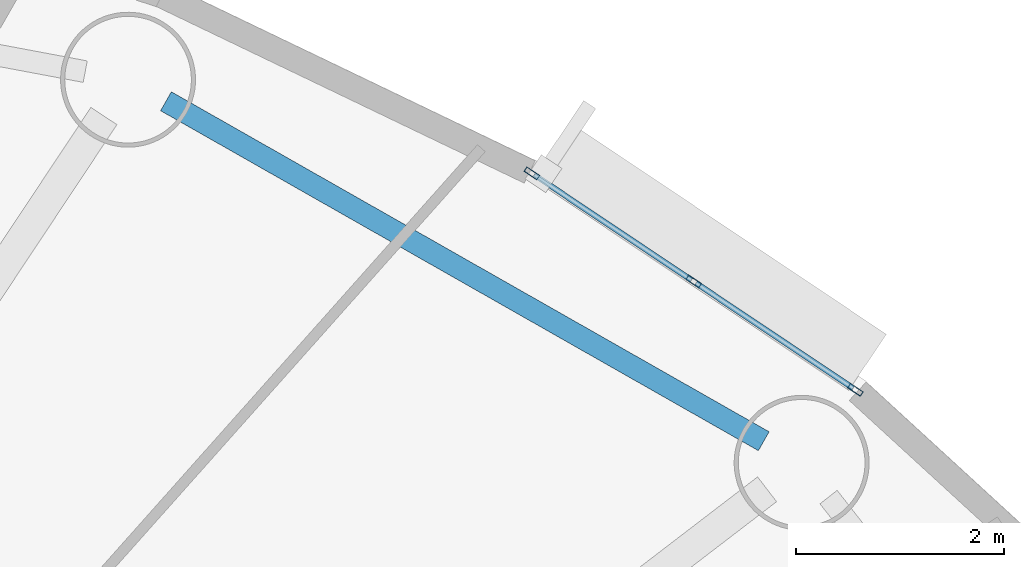
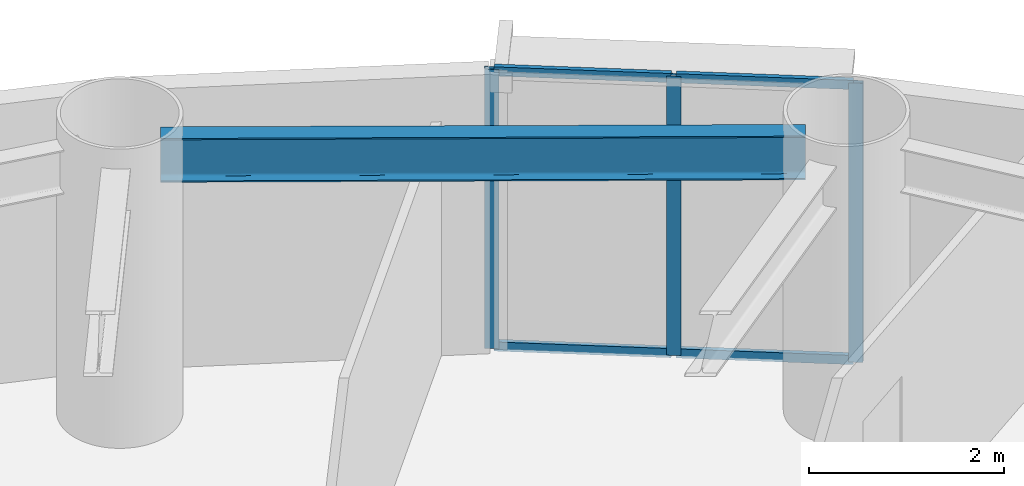
# One storey, part 4 of 19: 7 members, 1 beam, 1 element without a shape of its own.
"""IFC4 building model written with IfcOpenShell, lengths in metres."""

from ifc_helpers import new_model, si_unit, direction, frame, origin, origin_2d, place, context, subcontext, project, spatial, hollow_rectangle, i_section, extrude, source, transform, mapped, material, layer, layer_set, material_profile, profile_set, type_object, element, aggregate, save


model = new_model("IFC4")

# Units and contexts
model_context = context("Model", 3, precision=1e-05, world=origin(), true_north=direction((0.0, 1.0)))
body_context = subcontext(model_context, "Body", "Model", "MODEL_VIEW")
ifc_project = project(units=[si_unit("LENGTHUNIT", "METRE"), si_unit("AREAUNIT", "SQUARE_METRE"), si_unit("VOLUMEUNIT", "CUBIC_METRE"), si_unit("PLANEANGLEUNIT", "RADIAN"), si_unit("MASSUNIT", "GRAM", prefix="KILO")], contexts=[model_context])

# Site, building, storey
site_placement = place(None, origin())
site = spatial("IfcSite", under=ifc_project, at=site_placement, CompositionType="ELEMENT")
building_placement = place(site_placement, origin())
building = spatial("IfcBuilding", under=site, at=building_placement, Name="Linh Dai School and Residence Tower", CompositionType="ELEMENT")
storey_placement = place(building_placement, frame((0.0, 0.0, 193.64990234375)))
storey = spatial("IfcBuildingStorey", under=building, at=storey_placement, Name="L47", CompositionType="ELEMENT", Elevation=193.64990234375)

# Beam
ifc_material_1 = material(Name="Structural Steel S355JR", Category="steel")
ifc_material_profile_1 = material_profile(ifc_material_1, i_section(OverallWidth=0.2099609375, OverallDepth=0.550048828125, WebThickness=0.010986328125, FlangeThickness=0.01708984375, FilletRadius=0.02392578125, at=origin_2d()), Name="IPE 550")
ifc_profile_set_1 = profile_set([ifc_material_profile_1], Name="Structural Steel S355JR")
beam_type = type_object("IfcBeamType", Name="BM-RB55", PredefinedType="BEAM", material=ifc_profile_set_1)
beam_placement = place(storey_placement, frame((53.827392578125, 41.1494140625, 3.22509765625), z_axis=(-0.869262164011, 0.49435138335, 0.0), x_axis=(-0.49435138335, -0.869262164011, 0.0)))
element("IfcBeam", 1, at=beam_placement, inside=storey, type_object=beam_type, Name="L47 Perimeter Elliptical Ring Beam 03", PredefinedType="BEAM", context=body_context, shape_type="SweptSolid", body=[
    extrude(i_section(OverallWidth=0.2099609375, OverallDepth=0.550048828125, WebThickness=0.010986328125, FlangeThickness=0.01708984375, FilletRadius=0.02392578125, at=origin_2d()), origin(), (0.0, 0.0, 1.0), 6.62255859375),
])

# Curtain wall, members
ifc_material_2 = material(Name="Aluminium Anodised Curtain Wall", Category="aluminium")
ifc_layer = layer(ifc_material_2, 0.14990234375)
ifc_layer_set = layer_set([ifc_layer], Name="Aluminium Anodised Curtain Wall")
curtain_wall_type = type_object("IfcCurtainWallType", Name="CW-SYS-4", PredefinedType="USERDEFINED", material=ifc_layer_set)
curtain_wall_placement = place(storey_placement, origin())
curtain_wall = element("IfcCurtainWall", 2, at=curtain_wall_placement, inside=storey, type_object=curtain_wall_type, Name="L47 CW4 Curtain Wall 06", ObjectType="RIBBON CURTAIN WALL", PredefinedType="USERDEFINED")
ifc_material_3 = material(Name="Aluminium Alloy 6063-T6", Category="aluminium")
ifc_material_profile_2 = material_profile(ifc_material_3, hollow_rectangle(XDim=0.052001953125, YDim=0.14990234375, WallThickness=0.00390625, at=origin_2d()), Name="RHS 150x52x4")
ifc_profile_set_2 = profile_set([ifc_material_profile_2], Name="Aluminium Alloy 6063-T6")
member_type_1 = type_object("IfcMemberType", Name="CW-SYS-4-MUL", PredefinedType="MULLION", material=ifc_profile_set_2)
shared_shape_1 = source(origin(), body_context, "Body", "SweptSolid", [
    extrude(hollow_rectangle(XDim=0.052001953125, YDim=0.14990234375, WallThickness=0.00390625, at=origin_2d()), origin(), (0.0, 0.0, 1.0), 3.5),
])
member_1_placement = place(storey_placement, frame((51.594970703125, 43.728759765625, 0.0), z_axis=(0.0, 0.0, 1.0), x_axis=(0.555931154932, 0.831228338651, 0.0)))
member_1 = element("IfcMember", 3, at=member_1_placement, type_object=member_type_1, Name="CW4 mullion 1", PredefinedType="MULLION", context=body_context, shape_type="MappedRepresentation", body=[
    mapped(shared_shape_1, transform((0.0, 0.0, 0.0), x_axis=(1.0, 0.0, 0.0), y_axis=(0.0, 1.0, 0.0), z_axis=(0.0, 0.0, 1.0), scale=1.0)),
])
member_2_placement = place(storey_placement, frame((53.152587890625, 42.68701171875, 0.0), z_axis=(0.0, 0.0, 1.0), x_axis=(0.555931154932, 0.831228338651, 0.0)))
member_2 = element("IfcMember", 4, at=member_2_placement, type_object=member_type_1, Name="CW4 mullion 2", PredefinedType="MULLION", context=body_context, shape_type="MappedRepresentation", body=[
    mapped(shared_shape_1, transform((0.0, 0.0, 0.0), x_axis=(1.0, 0.0, 0.0), y_axis=(0.0, 1.0, 0.0), z_axis=(0.0, 0.0, 1.0), scale=1.0)),
])
member_3_placement = place(storey_placement, frame((54.71044921875, 41.64501953125, 0.0), z_axis=(0.0, 0.0, 1.0), x_axis=(0.555931154932, 0.831228338651, 0.0)))
member_3 = element("IfcMember", 5, at=member_3_placement, type_object=member_type_1, Name="CW4 mullion 3", PredefinedType="MULLION", context=body_context, shape_type="MappedRepresentation", body=[
    mapped(shared_shape_1, transform((0.0, 0.0, 0.0), x_axis=(1.0, 0.0, 0.0), y_axis=(0.0, 1.0, 0.0), z_axis=(0.0, 0.0, 1.0), scale=1.0)),
])
ifc_material_profile_3 = material_profile(ifc_material_3, hollow_rectangle(XDim=0.052001953125, YDim=0.114990234375, WallThickness=0.00390625, at=origin_2d()), Name="RHS 115x52x4")
ifc_profile_set_3 = profile_set([ifc_material_profile_3], Name="Aluminium Alloy 6063-T6")
member_type_2 = type_object("IfcMemberType", Name="CW-SYS-4-TRN", PredefinedType="USERDEFINED", material=ifc_profile_set_3)
shared_shape_2 = source(origin(), body_context, "Body", "SweptSolid", [
    extrude(hollow_rectangle(XDim=0.052001953125, YDim=0.114990234375, WallThickness=0.00390625, at=origin_2d()), origin(), (0.0, 0.0, 1.0), 1.822021484375),
])
member_4_placement = place(storey_placement, frame((51.616455078125, 43.71435546875, 0.026123046875), z_axis=(0.831245508037, -0.555905482406, 0.0), x_axis=(0.555905482406, 0.831245508037, 0.0)))
member_4 = element("IfcMember", 6, at=member_4_placement, type_object=member_type_2, Name="CW4 transom 1.1", ObjectType="TRANSOM", PredefinedType="USERDEFINED", context=body_context, shape_type="MappedRepresentation", body=[
    mapped(shared_shape_2, transform((0.0, 0.0, 0.0), x_axis=(1.0, 0.0, 0.0), y_axis=(0.0, 1.0, 0.0), z_axis=(0.0, 0.0, 1.0), scale=1.0)),
])
member_5_placement = place(storey_placement, frame((51.616455078125, 43.71435546875, 3.47412109375), z_axis=(0.831245508037, -0.555905482406, 0.0), x_axis=(0.555905482406, 0.831245508037, 0.0)))
member_5 = element("IfcMember", 7, at=member_5_placement, type_object=member_type_2, Name="CW4 transom 1.2", ObjectType="TRANSOM", PredefinedType="USERDEFINED", context=body_context, shape_type="MappedRepresentation", body=[
    mapped(shared_shape_2, transform((0.0, 0.0, 0.0), x_axis=(1.0, 0.0, 0.0), y_axis=(0.0, 1.0, 0.0), z_axis=(0.0, 0.0, 1.0), scale=1.0)),
])
member_6_placement = place(storey_placement, frame((53.17431640625, 42.67236328125, 0.026123046875), z_axis=(0.831204095485, -0.555967401607, 0.0), x_axis=(0.555967401607, 0.831204095485, 0.0)))
member_6 = element("IfcMember", 8, at=member_6_placement, type_object=member_type_2, Name="CW4 transom 2.1", ObjectType="TRANSOM", PredefinedType="USERDEFINED", context=body_context, shape_type="MappedRepresentation", body=[
    mapped(shared_shape_2, transform((0.0, 0.0, 0.0), x_axis=(1.0, 0.0, 0.0), y_axis=(0.0, 1.0, 0.0), z_axis=(0.0, 0.0, 1.0), scale=1.0)),
])
member_7_placement = place(storey_placement, frame((53.17431640625, 42.67236328125, 3.47412109375), z_axis=(0.831204095485, -0.555967401607, 0.0), x_axis=(0.555967401607, 0.831204095485, 0.0)))
member_7 = element("IfcMember", 9, at=member_7_placement, type_object=member_type_2, Name="CW4 transom 2.2", ObjectType="TRANSOM", PredefinedType="USERDEFINED", context=body_context, shape_type="MappedRepresentation", body=[
    mapped(shared_shape_2, transform((0.0, 0.0, 0.0), x_axis=(1.0, 0.0, 0.0), y_axis=(0.0, 1.0, 0.0), z_axis=(0.0, 0.0, 1.0), scale=1.0)),
])
aggregate(curtain_wall, [member_1, member_2, member_3, member_4, member_5, member_6, member_7])

save(model, "model.ifc")
